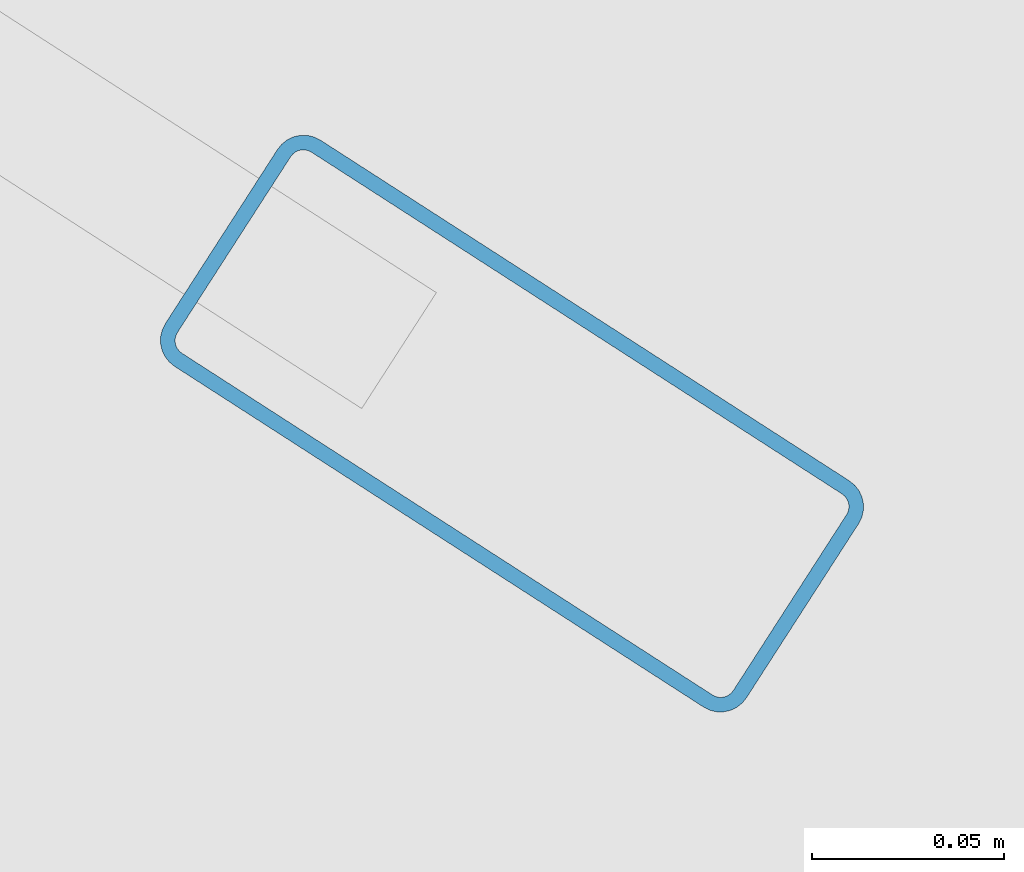
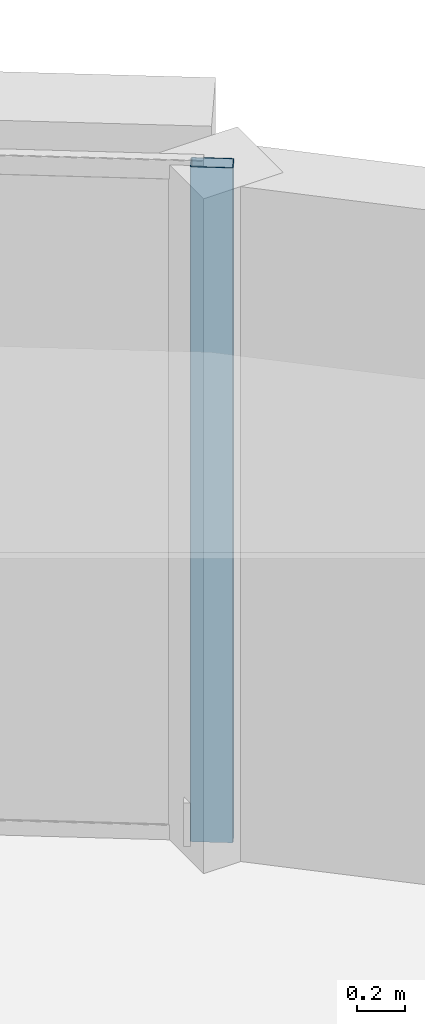
# One storey, part 6 of 16: 1 member, 1 element without a shape of its own.
"""IFC4 building model written with IfcOpenShell, lengths in metres."""

from ifc_helpers import new_model, si_unit, direction, frame, origin, origin_2d, place, context, subcontext, project, spatial, hollow_rectangle, extrude, material, layer, layer_set, material_profile, profile_set, type_object, element, aggregate, save


model = new_model("IFC4")

# Units and contexts
model_context = context("Model", 3, precision=1e-05, world=origin(), true_north=direction((0.0, 1.0)))
body_context = subcontext(model_context, "Body", "Model", "MODEL_VIEW")
ifc_project = project(units=[si_unit("LENGTHUNIT", "METRE"), si_unit("AREAUNIT", "SQUARE_METRE"), si_unit("VOLUMEUNIT", "CUBIC_METRE"), si_unit("PLANEANGLEUNIT", "RADIAN"), si_unit("MASSUNIT", "GRAM", prefix="KILO")], contexts=[model_context])

# Site, building, storey
site_placement = place(None, origin())
site = spatial("IfcSite", under=ifc_project, at=site_placement, CompositionType="ELEMENT")
building_placement = place(site_placement, origin())
building = spatial("IfcBuilding", under=site, at=building_placement, Name="An Khanh Terracotta Commons", CompositionType="ELEMENT")
storey_placement = place(building_placement, frame((0.0, 0.0, 172.60009765625)))
storey = spatial("IfcBuildingStorey", under=building, at=storey_placement, Name="L45", CompositionType="ELEMENT", Elevation=172.60009765625)

# Curtain wall, member
ifc_material = material(Name="Anodised Aluminium 6063-T6", Category="aluminium")
ifc_layer = layer(ifc_material, 0.2099609375, Name="Anodised Aluminium 6063-T6")
ifc_layer_set = layer_set([ifc_layer], Name="Anodised Aluminium 6063-T6")
curtain_wall_type = type_object("IfcCurtainWallType", Name="CW-SYS-03", PredefinedType="USERDEFINED", material=ifc_layer_set)
curtain_wall_placement = place(storey_placement, origin())
curtain_wall = element("IfcCurtainWall", 1, at=curtain_wall_placement, inside=storey, type_object=curtain_wall_type, Name="L45 CW-03 Unitised Curtain Wall CW-L45-16", ObjectType="UNITISED CURTAIN WALL", PredefinedType="USERDEFINED")
ifc_material_profile = material_profile(ifc_material, hollow_rectangle(XDim=0.070068359375, YDim=0.179931640625, WallThickness=0.00390625, InnerFilletRadius=0.00390625, OuterFilletRadius=0.008056640625, at=origin_2d()), Name="RHS180x70x4")
ifc_profile_set = profile_set([ifc_material_profile], Name="Anodised Aluminium 6063-T6")
member_type = type_object("IfcMemberType", Name="CWM-RHS180x70x4", PredefinedType="MULLION", material=ifc_profile_set)
member_placement = place(storey_placement, frame((60.448486328125, 35.843017578125, 0.0), z_axis=(0.0, 0.0, 1.0), x_axis=(-0.541497931062, -0.840702081986, 0.0)))
member = element("IfcMember", 2, at=member_placement, type_object=member_type, Name="CW-03 mullion 1", PredefinedType="MULLION", context=body_context, shape_type="SweptSolid", body=[
    extrude(hollow_rectangle(XDim=0.070068359375, YDim=0.179931640625, WallThickness=0.00390625, InnerFilletRadius=0.00390625, OuterFilletRadius=0.008056640625, at=origin_2d()), origin(), (0.0, 0.0, 1.0), 3.39990234375),
])
aggregate(curtain_wall, [member])

save(model, "model.ifc")
